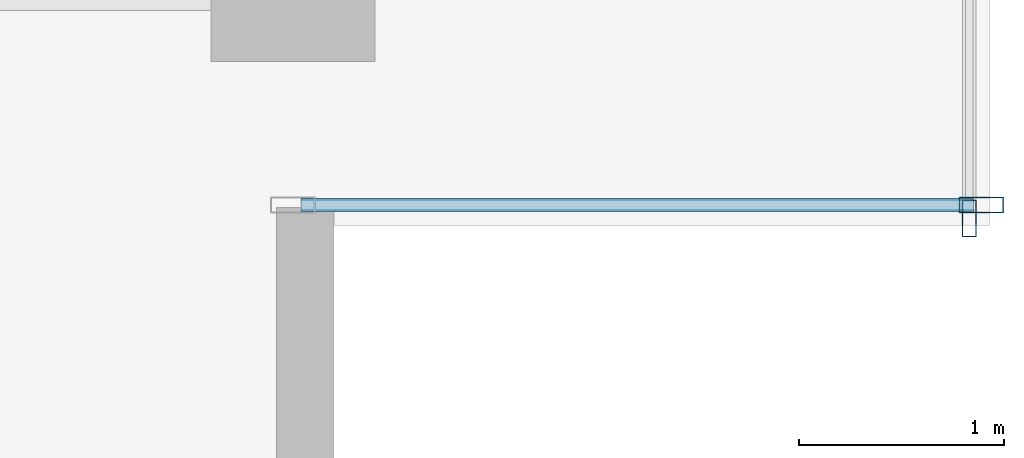
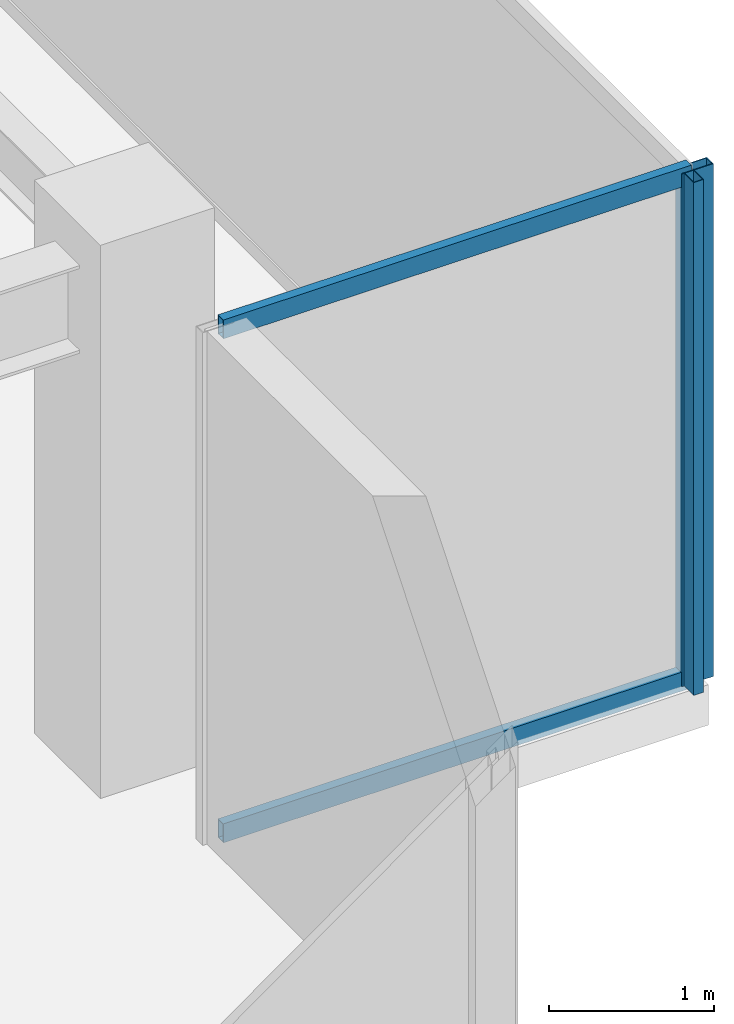
# One storey, part 22 of 33: 4 members, 2 elements without a shape of their own.
"""IFC4 building model written with IfcOpenShell, lengths in metres."""

from ifc_helpers import new_model, si_unit, direction, frame, origin, origin_2d, place, context, subcontext, project, spatial, hollow_rectangle, extrude, source, transform, mapped, material, layer, layer_set, material_profile, profile_set, type_object, type_shapes, element, aggregate, save


model = new_model("IFC4")

# Units and contexts
model_context = context("Model", 3, precision=1e-05, world=origin(), true_north=direction((0.0, 1.0)))
body_context = subcontext(model_context, "Body", "Model", "MODEL_VIEW")
ifc_project = project(units=[si_unit("LENGTHUNIT", "METRE"), si_unit("AREAUNIT", "SQUARE_METRE"), si_unit("VOLUMEUNIT", "CUBIC_METRE"), si_unit("PLANEANGLEUNIT", "RADIAN"), si_unit("MASSUNIT", "GRAM", prefix="KILO")], contexts=[model_context])

# Site, building, storey
site_placement = place(None, origin())
site = spatial("IfcSite", under=ifc_project, at=site_placement, CompositionType="ELEMENT")
building_placement = place(site_placement, origin())
building = spatial("IfcBuilding", under=site, at=building_placement, Name="Haelvirn Gate Laboratories", CompositionType="ELEMENT")
storey_placement = place(building_placement, frame((0.0, 0.0, 250.60009765625)))
storey = spatial("IfcBuildingStorey", under=building, at=storey_placement, Name="L60", CompositionType="ELEMENT", Elevation=250.60009765625)

# Curtain wall, members
ifc_material_1 = material(Name="Anodised bronze unitised aluminium & triple low-E glass", Category="aluminium")
ifc_layer_1 = layer(ifc_material_1, 0.181884765625, Name="CW-SYS-5")
ifc_layer_set_1 = layer_set([ifc_layer_1], Name="Anodised bronze unitised aluminium & triple low-E glass")
curtain_wall_type_1 = type_object("IfcCurtainWallType", Name="CW-SYS-5", PredefinedType="NOTDEFINED", material=ifc_layer_set_1)
curtain_wall_1_placement = place(storey_placement, origin())
curtain_wall_1 = element("IfcCurtainWall", 1, at=curtain_wall_1_placement, inside=storey, type_object=curtain_wall_type_1, Name="L60 Unitised Curtain Wall CW-L60-P0-E06-1", PredefinedType="NOTDEFINED")
ifc_material_2 = material(Name="Extruded aluminium 6063-T6 (anodised bronze)", Category="aluminium")
ifc_material_profile_1 = material_profile(ifc_material_2, hollow_rectangle(XDim=0.06494140625, YDim=0.139892578125, WallThickness=0.00390625, at=origin_2d()), Name="CWT-140x65x4")
ifc_profile_set_1 = profile_set([ifc_material_profile_1], Name="Extruded aluminium 6063-T6 (anodised bronze)")
member_type_1 = type_object("IfcMemberType", Name="CWT-T140", PredefinedType="USERDEFINED", material=ifc_profile_set_1)
shared_shape_1 = source(origin(), body_context, "Body", "SweptSolid", [
    extrude(hollow_rectangle(XDim=0.06494140625, YDim=0.139892578125, WallThickness=0.00390625, at=origin_2d()), origin(), (0.0, 0.0, 1.0), 3.280029296875),
])
type_shapes(member_type_1, [shared_shape_1])
member_1_placement = place(storey_placement, frame((67.43994140625, 5.89990234375, 0.032470703125), z_axis=(1.0, 0.0, 0.0), x_axis=(0.0, 1.0, 0.0)))
member_1 = element("IfcMember", 2, at=member_1_placement, type_object=member_type_1, Name="CW5 transom 1.1", ObjectType="TRANSOM", PredefinedType="USERDEFINED", context=body_context, shape_type="MappedRepresentation", body=[
    mapped(shared_shape_1, transform((0.0, 0.0, 0.0), scale=1.0)),
])
member_2_placement = place(storey_placement, frame((67.43994140625, 5.89990234375, 3.767333984375), z_axis=(1.0, 0.0, 0.0), x_axis=(0.0, 1.0, 0.0)))
member_2 = element("IfcMember", 3, at=member_2_placement, type_object=member_type_1, Name="CW5 transom 1.2", ObjectType="TRANSOM", PredefinedType="USERDEFINED", context=body_context, shape_type="MappedRepresentation", body=[
    mapped(shared_shape_1, transform((0.0, 0.0, 0.0), scale=1.0)),
])

# Curtain wall, member
ifc_layer_2 = layer(ifc_material_1, 0.176025390625, Name="CW-SYS-4")
ifc_layer_set_2 = layer_set([ifc_layer_2], Name="Anodised bronze unitised aluminium & triple low-E glass")
curtain_wall_type_2 = type_object("IfcCurtainWallType", Name="CW-SYS-4", PredefinedType="NOTDEFINED", material=ifc_layer_set_2)
curtain_wall_2_placement = place(storey_placement, origin())
curtain_wall_2 = element("IfcCurtainWall", 4, at=curtain_wall_2_placement, inside=storey, type_object=curtain_wall_type_2, Name="L60 Unitised Curtain Wall CW-L60-P0-E07", PredefinedType="NOTDEFINED")
ifc_material_profile_2 = material_profile(ifc_material_2, hollow_rectangle(XDim=0.070068359375, YDim=0.179931640625, WallThickness=0.0048828125, at=origin_2d()), Name="CWM-180x70x5")
ifc_profile_set_2 = profile_set([ifc_material_profile_2], Name="Extruded aluminium 6063-T6 (anodised bronze)")
member_type_2 = type_object("IfcMemberType", Name="CWM-T180", PredefinedType="MULLION", material=ifc_profile_set_2)
shared_shape_2 = source(origin(), body_context, "Body", "SweptSolid", [
    extrude(hollow_rectangle(XDim=0.070068359375, YDim=0.179931640625, WallThickness=0.0048828125, at=origin_2d()), origin(), (0.0, 0.0, 1.0), 3.7998046875),
])
type_shapes(member_type_2, [shared_shape_2])
member_3_placement = place(storey_placement, frame((70.699951171875, 5.8349609375, 0.0), z_axis=(0.0, 0.0, 1.0), x_axis=(-1.0, 0.0, 0.0)))
member_3 = element("IfcMember", 5, at=member_3_placement, type_object=member_type_2, Name="CW4 mullion 1", PredefinedType="MULLION", context=body_context, shape_type="MappedRepresentation", body=[
    mapped(shared_shape_2, transform((0.0, 0.0, 0.0), scale=1.0)),
])
aggregate(curtain_wall_2, [member_3])

# Member
ifc_material_profile_3 = material_profile(ifc_material_2, hollow_rectangle(XDim=0.080078125, YDim=0.219970703125, WallThickness=0.006103515625, at=origin_2d()), Name="CWM-220x80x6")
ifc_profile_set_3 = profile_set([ifc_material_profile_3], Name="Extruded aluminium 6063-T6 (anodised bronze)")
member_type_3 = type_object("IfcMemberType", Name="CWM-T220", PredefinedType="MULLION", material=ifc_profile_set_3)
shared_shape_3 = source(origin(), body_context, "Body", "SweptSolid", [
    extrude(hollow_rectangle(XDim=0.080078125, YDim=0.219970703125, WallThickness=0.006103515625, at=origin_2d()), origin(), (0.0, 0.0, 1.0), 3.7998046875),
])
type_shapes(member_type_3, [shared_shape_3])
member_4_placement = place(storey_placement, frame((70.760009765625, 5.89990234375, 0.0), z_axis=(0.0, 0.0, 1.0), x_axis=(0.0, 1.0, 0.0)))
member_4 = element("IfcMember", 6, at=member_4_placement, type_object=member_type_3, Name="CW5 mullion 2", PredefinedType="MULLION", context=body_context, shape_type="MappedRepresentation", body=[
    mapped(shared_shape_3, transform((0.0, 0.0, 0.0), scale=1.0)),
])

aggregate(curtain_wall_1, [member_4, member_1, member_2])

save(model, "model.ifc")
